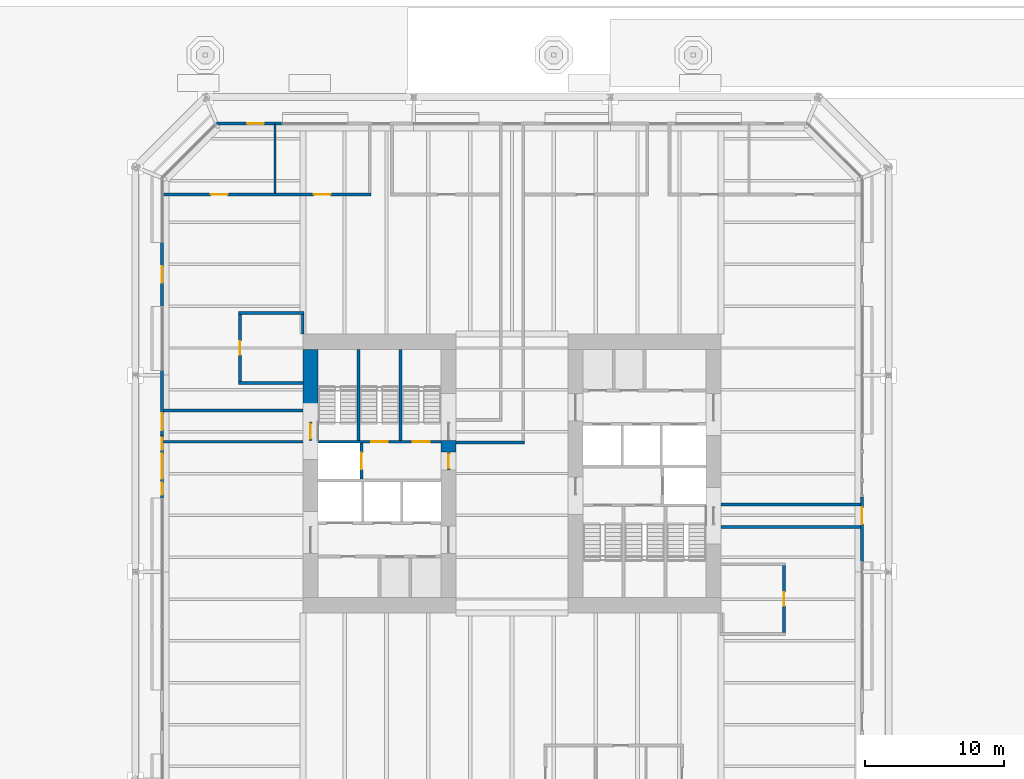
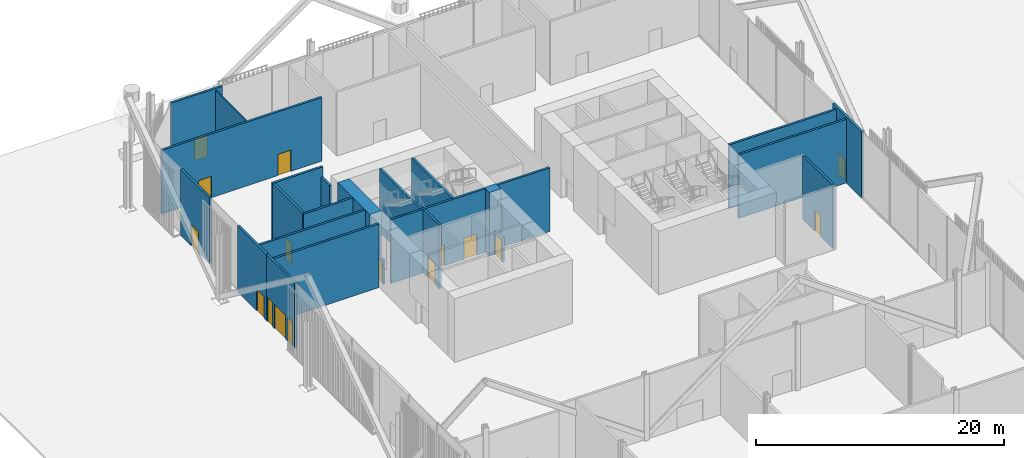
# One storey, part 16 of 28: 25 walls, 14 doors, 2 windows, 16 openings.
"""IFC4 building model written with IfcOpenShell, lengths in metres."""

import ifcopenshell
import ifcopenshell.guid

model = None  # the IFC model being written
_history = None  # IfcOwnerHistory: only IFC2X3 demands one
_inside = {}  # id of a spatial element -> (the spatial element, [elements in it])
_under = {}  # id of a project, library or spatial element -> (it, [spatial elements below it])
_declared = {}  # id of a project -> (the project, [libraries it declares])
_typed = {}  # id of a type object -> (the type object, [elements of that type])
_made_of = {}  # id of a material, layer set ... -> (it, [elements and type objects made of it])


def new_model(schema):
    """Start an empty IFC model of exactly this schema.

    Asked for "IFC4X3", IfcOpenShell would pick the latest addendum, in which some entities
    have other attributes; the version numbers below select the first issue.
    IFC2X3 requires an IfcOwnerHistory on every rooted entity: one is made here for all.
    """
    global model, _history
    if schema == "IFC4X3":
        model = ifcopenshell.file(schema_version=(4, 3, 0, 0))
    else:
        model = ifcopenshell.file(schema=schema)
    _inside.clear()
    _under.clear()
    _declared.clear()
    _typed.clear()
    _made_of.clear()
    _history = None
    if model.schema == "IFC2X3":
        org = make("IfcOrganization", Name="unknown")
        user = make(
            "IfcPersonAndOrganization",
            ThePerson=make("IfcPerson", FamilyName="unknown"),
            TheOrganization=org,
        )
        app = make(
            "IfcApplication",
            ApplicationDeveloper=org,
            Version="unknown",
            ApplicationFullName="unknown",
            ApplicationIdentifier="unknown",
        )
        _history = make(
            "IfcOwnerHistory",
            OwningUser=user,
            OwningApplication=app,
            ChangeAction="ADDED",
            CreationDate=0,
        )
    return model


def make(cls, **values):
    """One entity of the class cls with the attributes given. An attribute that is None is left unset."""
    return model.create_entity(
        cls, **{name: value for name, value in values.items() if value is not None}
    )


def rooted(cls, **values):
    """An entity with a GlobalId (a new one), such as an element, a storey or a relation."""
    return make(cls, GlobalId=ifcopenshell.guid.new(), OwnerHistory=_history, **values)


def si_unit(unit_type, name, prefix=None):
    """IfcSIUnit, for example si_unit("LENGTHUNIT", "METRE", prefix="MILLI")."""
    return make("IfcSIUnit", UnitType=unit_type, Prefix=prefix, Name=name)


def assignment(units):
    """IfcUnitAssignment: the units of a project."""
    return None if units is None else make("IfcUnitAssignment", Units=units)


def point(xyz):
    """IfcCartesianPoint."""
    return None if xyz is None else make("IfcCartesianPoint", Coordinates=xyz)


def direction(xyz):
    """IfcDirection."""
    return None if xyz is None else make("IfcDirection", DirectionRatios=xyz)


def frame(location, z_axis=None, x_axis=None):
    """IfcAxis2Placement3D, a coordinate frame: its origin and axes. An axis left out is left unset."""
    return make(
        "IfcAxis2Placement3D",
        Location=point(location),
        Axis=direction(z_axis),
        RefDirection=direction(x_axis),
    )


def frame_2d(location, x_axis=None):
    """IfcAxis2Placement2D, a coordinate frame in the plane: its origin and x axis."""
    return make(
        "IfcAxis2Placement2D", Location=point(location), RefDirection=direction(x_axis)
    )


def origin():
    """The frame at (0, 0, 0) with its axes left unset."""
    return frame((0.0, 0.0, 0.0))


def place(relative_to, where):
    """IfcLocalPlacement: puts the frame where relative to a parent placement (None: the world)."""
    return make(
        "IfcLocalPlacement", PlacementRelTo=relative_to, RelativePlacement=where
    )


def context(
    kind, dimensions, precision=None, world=None, true_north=None, identifier=None
):
    """IfcGeometricRepresentationContext, for example the 3D "Model" context."""
    return make(
        "IfcGeometricRepresentationContext",
        ContextIdentifier=identifier,
        ContextType=kind,
        CoordinateSpaceDimension=dimensions,
        Precision=precision,
        WorldCoordinateSystem=world,
        TrueNorth=true_north,
    )


def subcontext(parent, identifier, kind, view, scale=None):
    """IfcGeometricRepresentationSubContext, for example "Body" below "Model"."""
    return make(
        "IfcGeometricRepresentationSubContext",
        ContextIdentifier=identifier,
        ContextType=kind,
        ParentContext=parent,
        TargetScale=scale,
        TargetView=view,
    )


def project(units=None, contexts=None):
    """IfcProject with its units and contexts."""
    return rooted(
        "IfcProject",
        Name="project",
        RepresentationContexts=contexts,
        UnitsInContext=assignment(units),
    )


def spatial(cls, under=None, at=None, **own):
    """A site, building, storey or space (cls), placed at a placement, below another one or the project."""
    s = rooted(cls, ObjectPlacement=at, **own)
    if under is not None:
        _under.setdefault(under.id(), (under, []))[1].append(s)
    return s


def profile(cls, at=None, kind="AREA", **sizes):
    """A parametric profile (cls). Its sizes go by their IFC names, for example OverallWidth=200.0."""
    return make(cls, ProfileType=kind, Position=at, **sizes)


def rectangle(**sizes):
    """IfcRectangleProfileDef."""
    return profile("IfcRectangleProfileDef", **sizes)


def extrude(swept, where, along, depth):
    """IfcExtrudedAreaSolid: the profile swept, set in the frame where, extruded along a direction by depth."""
    return make(
        "IfcExtrudedAreaSolid",
        SweptArea=swept,
        Position=where,
        ExtrudedDirection=direction(along),
        Depth=depth,
    )


def shape(context_of_items, identifier, shape_type, items):
    """IfcShapeRepresentation: the items that make up one representation, for example the "Body"."""
    return make(
        "IfcShapeRepresentation",
        ContextOfItems=context_of_items,
        RepresentationIdentifier=identifier,
        RepresentationType=shape_type,
        Items=items,
    )


def material(Name=None, Category=None):
    """IfcMaterial."""
    return make("IfcMaterial", Name=Name, Category=Category)


def layer(
    of_material, thickness, ventilated=None, Name=None, Category=None, Priority=None
):
    """IfcMaterialLayer: one layer of a wall or slab, of a material (None: an air gap)."""
    return make(
        "IfcMaterialLayer",
        Material=of_material,
        LayerThickness=thickness,
        IsVentilated=ventilated,
        Name=Name,
        Category=Category,
        Priority=Priority,
    )


def layer_set(layers, Name=None):
    """IfcMaterialLayerSet."""
    return make("IfcMaterialLayerSet", MaterialLayers=layers, LayerSetName=Name)


def made_of(thing, what):
    """Note that an element or type object is made of a material, layer set ...; save() writes the relation."""
    if what is not None:
        _made_of.setdefault(what.id(), (what, []))[1].append(thing)
    return thing


def type_object(cls, material=None, **own):
    """A type object (cls), such as IfcWallType, which elements share."""
    return made_of(rooted(cls, **own), material)


def element(
    cls,
    number,
    at=None,
    inside=None,
    cuts=None,
    type_object=None,
    material=None,
    context=None,
    identifier="Body",
    shape_type=None,
    held_by="IfcProductDefinitionShape",
    body=None,
    shapes=None,
    **own,
):
    """One element of the class cls, such as IfcWall. Its Tag is "e" and its number.

    at: its placement. inside: the storey or other place that contains it. cuts: it is an
    opening in that element (IfcRelVoidsElement). A single representation is given by context,
    identifier, shape_type and body (its items); several are given by shapes. held_by: the class
    of the entity that holds the representations. save() writes the other relations.
    """
    e = rooted(cls, Tag="e%d" % number, ObjectPlacement=at, **own)
    if body is not None:
        shapes = [shape(context, identifier, shape_type, body)]
    if shapes is not None:
        e.Representation = make(held_by, Representations=shapes)
    if inside is not None:
        _inside.setdefault(inside.id(), (inside, []))[1].append(e)
    if cuts is not None:
        rooted(
            "IfcRelVoidsElement", RelatingBuildingElement=cuts, RelatedOpeningElement=e
        )
    if type_object is not None:
        _typed.setdefault(type_object.id(), (type_object, []))[1].append(e)
    return made_of(e, material)


def fill(opening, filler):
    """IfcRelFillsElement: the door or window that sits in an opening."""
    return rooted(
        "IfcRelFillsElement",
        RelatingOpeningElement=opening,
        RelatedBuildingElement=filler,
    )


def aggregate(whole, parts):
    """IfcRelAggregates: a whole, such as a stair, and the parts it consists of."""
    return rooted("IfcRelAggregates", RelatingObject=whole, RelatedObjects=parts)


def save(model, path):
    """Write the relations noted so far, then the file.

    IfcRelAggregates (storeys below a building ...), IfcRelContainedInSpatialStructure (elements
    in a storey), IfcRelDefinesByType, IfcRelAssociatesMaterial and IfcRelDeclares: one each for
    every whole, place, type object, material and project.
    """
    for whole, parts in _under.values():
        aggregate(whole, parts)
    for where, things in _inside.values():
        rooted(
            "IfcRelContainedInSpatialStructure",
            RelatedElements=things,
            RelatingStructure=where,
        )
    for kind, things in _typed.values():
        rooted("IfcRelDefinesByType", RelatedObjects=things, RelatingType=kind)
    for what, things in _made_of.values():
        rooted("IfcRelAssociatesMaterial", RelatedObjects=things, RelatingMaterial=what)
    for by, libraries in _declared.values():
        rooted("IfcRelDeclares", RelatingContext=by, RelatedDefinitions=libraries)
    model.write(path)


model = new_model("IFC4")

# Units and contexts
model_context = context("Model", 3, precision=1e-05, world=origin(), true_north=direction((0.0, 1.0)))
body_context = subcontext(model_context, "Body", "Model", "MODEL_VIEW")
ifc_project = project(units=[si_unit("LENGTHUNIT", "METRE"), si_unit("AREAUNIT", "SQUARE_METRE"), si_unit("VOLUMEUNIT", "CUBIC_METRE"), si_unit("PLANEANGLEUNIT", "RADIAN"), si_unit("MASSUNIT", "GRAM", prefix="KILO")], contexts=[model_context])

# Site, building, storey
site_placement = place(None, origin())
site = spatial("IfcSite", under=ifc_project, at=site_placement, CompositionType="ELEMENT")
building_placement = place(site_placement, origin())
building = spatial("IfcBuilding", under=site, at=building_placement, Name="Millrace Tower", CompositionType="ELEMENT")
storey_placement = place(building_placement, origin())
storey = spatial("IfcBuildingStorey", under=building, at=storey_placement, Name="L01", CompositionType="ELEMENT", Elevation=0.0)

# Walls
ifc_material_1 = material(Name="Concrete C80", Category="concrete")
ifc_layer_1 = layer(ifc_material_1, 1.10009765625)
ifc_layer_set_1 = layer_set([ifc_layer_1], Name="Concrete C80")
wall_type_1 = type_object("IfcWallType", Name="Core wall 1100 Concrete C80", PredefinedType="SHEAR", material=ifc_layer_set_1)
wall_1_placement = place(storey_placement, frame((-14.449951171875, 3.679931640625, 0.0), z_axis=(0.0, 0.0, 1.0), x_axis=(0.0, 1.0, 0.0)))
element("IfcWall", 1, at=wall_1_placement, inside=storey, type_object=wall_type_1, Name="Core wall W L01", PredefinedType="SHEAR", context=body_context, shape_type="SweptSolid", body=[
    extrude(rectangle(XDim=5.219970703125, YDim=1.10009765625, at=frame_2d((2.60986328125, 0.0))), origin(), (0.0, 0.0, 1.0), 6.27490234375),
])
wall_2_placement = place(storey_placement, frame((-4.550048828125, 1.550048828125, 0.0), z_axis=(0.0, 0.0, 1.0), x_axis=(0.0, 1.0, 0.0)))
element("IfcWall", 2, at=wall_2_placement, inside=storey, type_object=wall_type_1, Name="Core wall W L01", PredefinedType="SHEAR", context=body_context, shape_type="SweptSolid", body=[
    extrude(rectangle(XDim=0.829833984375, YDim=1.10009765625, at=frame_2d((0.4150390625, 0.0))), origin(), (0.0, 0.0, 1.0), 6.27490234375),
])
ifc_material_2 = material(Name="Masonry partition, fire-rated", Category="masonry")
ifc_layer_2 = layer(ifc_material_2, 0.199951171875)
ifc_layer_set_2 = layer_set([ifc_layer_2], Name="Masonry partition, fire-rated")
wall_type_2 = type_object("IfcWallType", Name="Corridor wall 200", PredefinedType="PARTITIONING", material=ifc_layer_set_2)
wall_3_placement = place(storey_placement, frame((-19.60009765625, 6.5, 0.0), z_axis=(0.0, 0.0, 1.0), x_axis=(1.0, 0.0, 0.0)))
element("IfcWall", 3, at=wall_3_placement, inside=storey, type_object=wall_type_2, Name="Corridor wall L01", PredefinedType="PARTITIONING", context=body_context, shape_type="SweptSolid", body=[
    extrude(rectangle(XDim=4.60009765625, YDim=0.199951171875, at=frame_2d((2.300048828125, 0.0))), origin(), (0.0, 0.0, 1.0), 6.27490234375),
])
wall_4_placement = place(storey_placement, frame((-19.60009765625, 11.5, 0.0), z_axis=(0.0, 0.0, 1.0), x_axis=(1.0, 0.0, 0.0)))
element("IfcWall", 4, at=wall_4_placement, inside=storey, type_object=wall_type_2, Name="Corridor wall L01", PredefinedType="PARTITIONING", context=body_context, shape_type="SweptSolid", body=[
    extrude(rectangle(XDim=4.7001953125, YDim=0.199951171875, at=frame_2d((2.35009765625, 0.0))), origin(), (0.0, 0.0, 1.0), 6.27490234375),
])

# Wall, openings, doors
wall_5_placement = place(storey_placement, frame((-25.030029296875, 20.0, 0.0), z_axis=(0.0, 0.0, 1.0), x_axis=(1.0, 0.0, 0.0)))
wall_5 = element("IfcWall", 5, at=wall_5_placement, inside=storey, type_object=wall_type_2, Name="Corridor wall L01", PredefinedType="PARTITIONING", context=body_context, shape_type="SweptSolid", body=[
    extrude(rectangle(XDim=14.929931640625, YDim=0.199951171875, at=frame_2d((7.46484375, 0.0))), origin(), (0.0, 0.0, 1.0), 6.27490234375),
])
opening_1_placement = place(wall_5_placement, frame((3.43994140625, 0.0, 0.0)))
opening_1 = element("IfcOpeningElement", 6, at=opening_1_placement, cuts=wall_5, Name="Opening 01-P003", PredefinedType="OPENING", context=body_context, shape_type="SweptSolid", body=[
    extrude(rectangle(XDim=1.199951171875, YDim=2.10009765625, at=frame_2d((0.60009765625, 1.050048828125))), frame((0.0, 0.10986328125, 0.0), z_axis=(0.0, -1.0, 0.0), x_axis=(1.0, 0.0, 0.0)), (0.0, 0.0, 1.0), 0.219970703125),
])
opening_2_placement = place(wall_5_placement, frame((10.830078125, 0.0, 0.0)))
opening_2 = element("IfcOpeningElement", 7, at=opening_2_placement, cuts=wall_5, Name="Opening 01-P004", PredefinedType="OPENING", context=body_context, shape_type="SweptSolid", body=[
    extrude(rectangle(XDim=1.199951171875, YDim=2.10009765625, at=frame_2d((0.60009765625, 1.050048828125))), frame((0.0, 0.10986328125, 0.0), z_axis=(0.0, -1.0, 0.0), x_axis=(1.0, 0.0, 0.0)), (0.0, 0.0, 1.0), 0.219970703125),
])
ifc_material_3 = material(Name="Steel door set, fire-rated", Category="steel")
door_type_1 = type_object("IfcDoorType", Name="Corridor door 1200 x 2100", OperationType="SINGLE_SWING_LEFT", PredefinedType="DOOR", material=ifc_material_3)
door_1_placement = place(opening_1_placement, origin())
door_1 = element("IfcDoor", 8, at=door_1_placement, inside=storey, type_object=door_type_1, Name="Door 01-P003", OperationType="SINGLE_SWING_LEFT", OverallHeight=2.10009765625, OverallWidth=1.199951171875, PredefinedType="DOOR", context=body_context, shape_type="SweptSolid", body=[
    extrude(rectangle(XDim=1.199951171875, YDim=2.10009765625, at=frame_2d((0.60009765625, 1.050048828125))), frame((0.0, 0.02490234375, 0.0), z_axis=(0.0, -1.0, 0.0), x_axis=(1.0, 0.0, 0.0)), (0.0, 0.0, 1.0), 0.050048828125),
])
fill(opening_1, door_1)
door_2_placement = place(opening_2_placement, origin())
door_2 = element("IfcDoor", 9, at=door_2_placement, inside=storey, type_object=door_type_1, Name="Door 01-P004", OperationType="SINGLE_SWING_RIGHT", OverallHeight=2.10009765625, OverallWidth=1.199951171875, PredefinedType="DOOR", context=body_context, shape_type="SweptSolid", body=[
    extrude(rectangle(XDim=1.199951171875, YDim=2.10009765625, at=frame_2d((0.60009765625, 1.050048828125))), frame((0.0, 0.02490234375, 0.0), z_axis=(0.0, -1.0, 0.0), x_axis=(1.0, 0.0, 0.0)), (0.0, 0.0, 1.0), 0.050048828125),
])
fill(opening_2, door_2)

# Wall, opening, door
wall_6_placement = place(storey_placement, frame((19.5, -11.39990234375, 0.0), z_axis=(0.0, 0.0, 1.0), x_axis=(0.0, 1.0, 0.0)))
wall_6 = element("IfcWall", 10, at=wall_6_placement, inside=storey, type_object=wall_type_2, Name="Corridor wall L01", PredefinedType="PARTITIONING", context=body_context, shape_type="SweptSolid", body=[
    extrude(rectangle(XDim=4.7998046875, YDim=0.199951171875, at=frame_2d((2.39990234375, 0.0))), origin(), (0.0, 0.0, 1.0), 6.27490234375),
])
opening_3_placement = place(wall_6_placement, frame((1.89990234375, 0.0, 0.0)))
opening_3 = element("IfcOpeningElement", 11, at=opening_3_placement, cuts=wall_6, Name="Opening 01-P002", PredefinedType="OPENING", context=body_context, shape_type="SweptSolid", body=[
    extrude(rectangle(XDim=1.0, YDim=2.10009765625, at=frame_2d((0.5, 1.050048828125))), frame((0.0, 0.10986328125, 0.0), z_axis=(0.0, -1.0, 0.0), x_axis=(1.0, 0.0, 0.0)), (0.0, 0.0, 1.0), 0.219970703125),
])
ifc_material_4 = material(Name="Steel door set, fire-rated", Category="steel")
door_type_2 = type_object("IfcDoorType", Name="Corridor door 1000 x 2100", OperationType="SINGLE_SWING_LEFT", PredefinedType="DOOR", material=ifc_material_4)
door_3_placement = place(opening_3_placement, origin())
door_3 = element("IfcDoor", 12, at=door_3_placement, inside=storey, type_object=door_type_2, Name="Door 01-P002", OperationType="SINGLE_SWING_RIGHT", OverallHeight=2.10009765625, OverallWidth=1.0, PredefinedType="DOOR", context=body_context, shape_type="SweptSolid", body=[
    extrude(rectangle(XDim=1.0, YDim=2.10009765625, at=frame_2d((0.5, 1.050048828125))), frame((0.0, 0.02490234375, 0.0), z_axis=(0.0, -1.0, 0.0), x_axis=(1.0, 0.0, 0.0)), (0.0, 0.0, 1.0), 0.050048828125),
])
fill(opening_3, door_3)

# Wall
wall_7_placement = place(storey_placement, frame((-15.0, 10.0, 0.0), z_axis=(0.0, 0.0, 1.0), x_axis=(0.0, 1.0, 0.0)))
element("IfcWall", 13, at=wall_7_placement, inside=storey, type_object=wall_type_2, Name="Corridor wall L01", PredefinedType="PARTITIONING", context=body_context, shape_type="SweptSolid", body=[
    extrude(rectangle(XDim=1.39990234375, YDim=0.199951171875, at=frame_2d((0.699951171875, 0.0))), origin(), (0.0, 0.0, 1.0), 5.32763671875),
])

# Wall, opening, door
wall_8_placement = place(storey_placement, frame((-19.5, 6.60009765625, 0.0), z_axis=(0.0, 0.0, 1.0), x_axis=(0.0, 1.0, 0.0)))
wall_8 = element("IfcWall", 14, at=wall_8_placement, inside=storey, type_object=wall_type_2, Name="Corridor wall L01", PredefinedType="PARTITIONING", context=body_context, shape_type="SweptSolid", body=[
    extrude(rectangle(XDim=4.7998046875, YDim=0.199951171875, at=frame_2d((2.39990234375, 0.0))), origin(), (0.0, 0.0, 1.0), 6.27490234375),
])
opening_4_placement = place(wall_8_placement, frame((1.89990234375, 0.0, 0.0)))
opening_4 = element("IfcOpeningElement", 15, at=opening_4_placement, cuts=wall_8, Name="Opening 01-P001", PredefinedType="OPENING", context=body_context, shape_type="SweptSolid", body=[
    extrude(rectangle(XDim=1.0, YDim=2.10009765625, at=frame_2d((0.5, 1.050048828125))), frame((0.0, 0.10986328125, 0.0), z_axis=(0.0, -1.0, 0.0), x_axis=(1.0, 0.0, 0.0)), (0.0, 0.0, 1.0), 0.219970703125),
])
door_4_placement = place(opening_4_placement, frame((1.0, 0.0, 0.0), z_axis=(0.0, 0.0, 1.0), x_axis=(-1.0, 0.0, 0.0)))
door_4 = element("IfcDoor", 16, at=door_4_placement, inside=storey, type_object=door_type_2, Name="Door 01-P001", OperationType="SINGLE_SWING_LEFT", OverallHeight=2.10009765625, OverallWidth=1.0, PredefinedType="DOOR", context=body_context, shape_type="SweptSolid", body=[
    extrude(rectangle(XDim=1.0, YDim=2.10009765625, at=frame_2d((0.5, 1.050048828125))), frame((0.0, 0.02490234375, 0.0), z_axis=(0.0, -1.0, 0.0), x_axis=(1.0, 0.0, 0.0)), (0.0, 0.0, 1.0), 0.050048828125),
])
fill(opening_4, door_4)

ifc_material_5 = material(Name="Aluminium framed glazing", Category="aluminium")
ifc_layer_3 = layer(ifc_material_5, 0.199951171875)
ifc_layer_set_3 = layer_set([ifc_layer_3], Name="Aluminium framed glazing")
wall_type_3 = type_object("IfcWallType", Name="Entrance infill wall 200 thick", PredefinedType="STANDARD", material=ifc_layer_set_3)
wall_9_placement = place(storey_placement, frame((25.10009765625, -6.35009765625, 0.0), z_axis=(0.0, 0.0, 1.0), x_axis=(0.0, 1.0, 0.0)))
wall_9 = element("IfcWall", 17, at=wall_9_placement, inside=storey, type_object=wall_type_3, Name="Entrance infill wall AW1-F02 10", PredefinedType="STANDARD", context=body_context, shape_type="SweptSolid", body=[
    extrude(rectangle(XDim=4.658447265625, YDim=0.199951171875, at=frame_2d((2.3291015625, 0.0))), origin(), (0.0, 0.0, 1.0), 6.5),
])
opening_5_placement = place(wall_9_placement, frame((2.7216796875, 0.0, 0.0)))
opening_5 = element("IfcOpeningElement", 18, at=opening_5_placement, cuts=wall_9, Name="Opening 01-X005", PredefinedType="OPENING", context=body_context, shape_type="SweptSolid", body=[
    extrude(rectangle(XDim=1.199951171875, YDim=2.10009765625, at=frame_2d((0.60009765625, 1.050048828125))), frame((0.0, 0.10986328125, 0.0), z_axis=(0.0, -1.0, 0.0), x_axis=(1.0, 0.0, 0.0)), (0.0, 0.0, 1.0), 0.219970703125),
])
ifc_material_6 = material(Name="Steel", Category="steel")
door_type_3 = type_object("IfcDoorType", Name="Exit door to the plaza", OperationType="SINGLE_SWING_RIGHT", PredefinedType="DOOR", material=ifc_material_6)
door_5_placement = place(opening_5_placement, frame((1.199951171875, 0.0, 0.0), z_axis=(0.0, 0.0, 1.0), x_axis=(-1.0, 0.0, 0.0)))
door_5 = element("IfcDoor", 19, at=door_5_placement, inside=storey, type_object=door_type_3, Name="01-X005", OperationType="SINGLE_SWING_RIGHT", OverallHeight=2.10009765625, OverallWidth=1.199951171875, PredefinedType="DOOR", context=body_context, shape_type="SweptSolid", body=[
    extrude(rectangle(XDim=1.199951171875, YDim=2.10009765625, at=frame_2d((0.60009765625, 1.050048828125))), frame((0.0, 0.02490234375, 0.0), z_axis=(0.0, -1.0, 0.0), x_axis=(1.0, 0.0, 0.0)), (0.0, 0.0, 1.0), 0.050048828125),
])
fill(opening_5, door_5)

wall_10_placement = place(storey_placement, frame((-16.449951171875, 25.10009765625, 0.0), z_axis=(0.0, 0.0, 1.0), x_axis=(-1.0, 0.0, 0.0)))
wall_10 = element("IfcWall", 20, at=wall_10_placement, inside=storey, type_object=wall_type_3, Name="Entrance infill wall AW1-F04 9", PredefinedType="STANDARD", context=body_context, shape_type="SweptSolid", body=[
    extrude(rectangle(XDim=4.741455078125, YDim=0.199951171875, at=frame_2d((2.37060546875, 0.0))), origin(), (0.0, 0.0, 1.0), 6.5),
])
opening_6_placement = place(wall_10_placement, frame((1.35009765625, 0.0, 0.0)))
opening_6 = element("IfcOpeningElement", 21, at=opening_6_placement, cuts=wall_10, Name="Opening 01-X012", PredefinedType="OPENING", context=body_context, shape_type="SweptSolid", body=[
    extrude(rectangle(XDim=1.199951171875, YDim=2.10009765625, at=frame_2d((0.60009765625, 1.050048828125))), frame((0.0, 0.10986328125, 0.0), z_axis=(0.0, -1.0, 0.0), x_axis=(1.0, 0.0, 0.0)), (0.0, 0.0, 1.0), 0.219970703125),
])
ifc_material_7 = material(Name="Steel", Category="steel")
door_type_4 = type_object("IfcDoorType", Name="Service exit door", OperationType="SINGLE_SWING_RIGHT", PredefinedType="DOOR", material=ifc_material_7)
door_6_placement = place(opening_6_placement, frame((1.199951171875, 0.0, 0.0), z_axis=(0.0, 0.0, 1.0), x_axis=(-1.0, 0.0, 0.0)))
door_6 = element("IfcDoor", 22, at=door_6_placement, inside=storey, type_object=door_type_4, Name="01-X012", OperationType="SINGLE_SWING_RIGHT", OverallHeight=2.10009765625, OverallWidth=1.199951171875, PredefinedType="DOOR", context=body_context, shape_type="SweptSolid", body=[
    extrude(rectangle(XDim=1.199951171875, YDim=2.10009765625, at=frame_2d((0.60009765625, 1.050048828125))), frame((0.0, 0.02490234375, 0.0), z_axis=(0.0, -1.0, 0.0), x_axis=(1.0, 0.0, 0.0)), (0.0, 0.0, 1.0), 0.050048828125),
])
fill(opening_6, door_6)

wall_11_placement = place(storey_placement, frame((-25.10009765625, 16.566650390625, 0.0), z_axis=(0.0, 0.0, 1.0), x_axis=(0.0, -1.0, 0.0)))
wall_11 = element("IfcWall", 23, at=wall_11_placement, inside=storey, type_object=wall_type_3, Name="Entrance infill wall AW1-F06 2", PredefinedType="STANDARD", context=body_context, shape_type="SweptSolid", body=[
    extrude(rectangle(XDim=4.658203125, YDim=0.199951171875, at=frame_2d((2.3291015625, 0.0))), origin(), (0.0, 0.0, 1.0), 6.5),
])
opening_7_placement = place(wall_11_placement, frame((1.691650390625, 0.0, 0.0)))
opening_7 = element("IfcOpeningElement", 24, at=opening_7_placement, cuts=wall_11, Name="Opening 01-X013", PredefinedType="OPENING", context=body_context, shape_type="SweptSolid", body=[
    extrude(rectangle(XDim=1.199951171875, YDim=2.10009765625, at=frame_2d((0.60009765625, 1.050048828125))), frame((0.0, 0.10986328125, 0.0), z_axis=(0.0, -1.0, 0.0), x_axis=(1.0, 0.0, 0.0)), (0.0, 0.0, 1.0), 0.219970703125),
])
door_7_placement = place(opening_7_placement, frame((1.199951171875, 0.0, 0.0), z_axis=(0.0, 0.0, 1.0), x_axis=(-1.0, 0.0, 0.0)))
door_7 = element("IfcDoor", 25, at=door_7_placement, inside=storey, type_object=door_type_3, Name="01-X013", OperationType="SINGLE_SWING_RIGHT", OverallHeight=2.10009765625, OverallWidth=1.199951171875, PredefinedType="DOOR", context=body_context, shape_type="SweptSolid", body=[
    extrude(rectangle(XDim=1.199951171875, YDim=2.10009765625, at=frame_2d((0.60009765625, 1.050048828125))), frame((0.0, 0.02490234375, 0.0), z_axis=(0.0, -1.0, 0.0), x_axis=(1.0, 0.0, 0.0)), (0.0, 0.0, 1.0), 0.050048828125),
])
fill(opening_7, door_7)

wall_12_placement = place(storey_placement, frame((-25.10009765625, 7.39990234375, 0.0), z_axis=(0.0, 0.0, 1.0), x_axis=(0.0, -1.0, 0.0)))
wall_12 = element("IfcWall", 26, at=wall_12_placement, inside=storey, type_object=wall_type_3, Name="Entrance infill wall AW1-F06 4", PredefinedType="STANDARD", context=body_context, shape_type="SweptSolid", body=[
    extrude(rectangle(XDim=4.658203125, YDim=0.199951171875, at=frame_2d((2.3291015625, 0.0))), origin(), (0.0, 0.0, 1.0), 6.5),
])
opening_8_placement = place(wall_12_placement, frame((3.081787109375, 0.0, 0.0)))
opening_8 = element("IfcOpeningElement", 27, at=opening_8_placement, cuts=wall_12, Name="Opening 01-X014", PredefinedType="OPENING", context=body_context, shape_type="SweptSolid", body=[
    extrude(rectangle(XDim=1.199951171875, YDim=2.10009765625, at=frame_2d((0.60009765625, 1.050048828125))), frame((0.0, 0.10986328125, 0.0), z_axis=(0.0, -1.0, 0.0), x_axis=(1.0, 0.0, 0.0)), (0.0, 0.0, 1.0), 0.219970703125),
])
door_8_placement = place(opening_8_placement, frame((1.199951171875, 0.0, 0.0), z_axis=(0.0, 0.0, 1.0), x_axis=(-1.0, 0.0, 0.0)))
door_8 = element("IfcDoor", 28, at=door_8_placement, inside=storey, type_object=door_type_3, Name="01-X014", OperationType="SINGLE_SWING_RIGHT", OverallHeight=2.10009765625, OverallWidth=1.199951171875, PredefinedType="DOOR", context=body_context, shape_type="SweptSolid", body=[
    extrude(rectangle(XDim=1.199951171875, YDim=2.10009765625, at=frame_2d((0.60009765625, 1.050048828125))), frame((0.0, 0.02490234375, 0.0), z_axis=(0.0, -1.0, 0.0), x_axis=(1.0, 0.0, 0.0)), (0.0, 0.0, 1.0), 0.050048828125),
])
fill(opening_8, door_8)

# Wall, openings, windows, door
wall_13_placement = place(storey_placement, frame((-25.10009765625, 2.816650390625, 0.0), z_axis=(0.0, 0.0, 1.0), x_axis=(0.0, -1.0, 0.0)))
wall_13 = element("IfcWall", 29, at=wall_13_placement, inside=storey, type_object=wall_type_3, Name="Entrance infill wall AW1-F06 5", PredefinedType="STANDARD", context=body_context, shape_type="SweptSolid", body=[
    extrude(rectangle(XDim=4.658203125, YDim=0.199951171875, at=frame_2d((2.3291015625, 0.0))), origin(), (0.0, 0.0, 1.0), 6.5),
])
opening_9_placement = place(wall_13_placement, frame((1.3916015625, 0.0, 0.0)))
opening_9 = element("IfcOpeningElement", 30, at=opening_9_placement, cuts=wall_13, Name="Opening 01-X015", PredefinedType="OPENING", context=body_context, shape_type="SweptSolid", body=[
    extrude(rectangle(XDim=1.800048828125, YDim=2.39990234375, at=frame_2d((0.89990234375, 1.199951171875))), frame((0.0, 0.10986328125, 0.0), z_axis=(0.0, -1.0, 0.0), x_axis=(1.0, 0.0, 0.0)), (0.0, 0.0, 1.0), 0.219970703125),
])
opening_10_placement = place(wall_13_placement, frame((0.25, 0.0, 0.0)))
opening_10 = element("IfcOpeningElement", 31, at=opening_10_placement, cuts=wall_13, Name="Opening WN1", PredefinedType="OPENING", context=body_context, shape_type="SweptSolid", body=[
    extrude(rectangle(XDim=0.85009765625, YDim=2.39990234375, at=frame_2d((0.425048828125, 1.199951171875))), frame((0.0, 0.10986328125, 0.0), z_axis=(0.0, -1.0, 0.0), x_axis=(1.0, 0.0, 0.0)), (0.0, 0.0, 1.0), 0.219970703125),
])
opening_11_placement = place(wall_13_placement, frame((3.4833984375, 0.0, 0.0)))
opening_11 = element("IfcOpeningElement", 32, at=opening_11_placement, cuts=wall_13, Name="Opening WN1", PredefinedType="OPENING", context=body_context, shape_type="SweptSolid", body=[
    extrude(rectangle(XDim=0.85009765625, YDim=2.39990234375, at=frame_2d((0.425048828125, 1.199951171875))), frame((0.0, 0.10986328125, 0.0), z_axis=(0.0, -1.0, 0.0), x_axis=(1.0, 0.0, 0.0)), (0.0, 0.0, 1.0), 0.219970703125),
])
ifc_material_8 = material(Name="Aluminium and laminated glass", Category="aluminium")
window_type = type_object("IfcWindowType", Name="Entrance sidelight window 850 x 2400", PartitioningType="SINGLE_PANEL", PredefinedType="WINDOW", material=ifc_material_8)
window_1_placement = place(opening_10_placement, origin())
window_1 = element("IfcWindow", 33, at=window_1_placement, inside=storey, type_object=window_type, Name="Entrance sidelight window AW1-F06.5 W", OverallHeight=2.39990234375, OverallWidth=0.85009765625, PartitioningType="SINGLE_PANEL", PredefinedType="WINDOW", context=body_context, shape_type="SweptSolid", body=[
    extrude(rectangle(XDim=0.85009765625, YDim=2.39990234375, at=frame_2d((0.425048828125, 1.199951171875))), frame((0.0, 0.030029296875, 0.0), z_axis=(0.0, -1.0, 0.0), x_axis=(1.0, 0.0, 0.0)), (0.0, 0.0, 1.0), 0.06005859375),
])
fill(opening_10, window_1)
window_2_placement = place(opening_11_placement, origin())
window_2 = element("IfcWindow", 34, at=window_2_placement, inside=storey, type_object=window_type, Name="Entrance sidelight window AW1-F06.5 E", OverallHeight=2.39990234375, OverallWidth=0.85009765625, PartitioningType="SINGLE_PANEL", PredefinedType="WINDOW", context=body_context, shape_type="SweptSolid", body=[
    extrude(rectangle(XDim=0.85009765625, YDim=2.39990234375, at=frame_2d((0.425048828125, 1.199951171875))), frame((0.0, 0.030029296875, 0.0), z_axis=(0.0, -1.0, 0.0), x_axis=(1.0, 0.0, 0.0)), (0.0, 0.0, 1.0), 0.06005859375),
])
fill(opening_11, window_2)
ifc_material_9 = material(Name="Aluminium and glass", Category="aluminium")
door_type_5 = type_object("IfcDoorType", Name="Main entrance double door", OperationType="DOUBLE_DOOR_DOUBLE_SWING", PredefinedType="DOOR", material=ifc_material_9)
door_9_placement = place(opening_9_placement, frame((1.800048828125, 0.0, 0.0), z_axis=(0.0, 0.0, 1.0), x_axis=(-1.0, 0.0, 0.0)))
door_9 = element("IfcDoor", 35, at=door_9_placement, inside=storey, type_object=door_type_5, Name="01-X015", OperationType="DOUBLE_DOOR_DOUBLE_SWING", OverallHeight=2.39990234375, OverallWidth=1.800048828125, PredefinedType="DOOR", context=body_context, shape_type="SweptSolid", body=[
    extrude(rectangle(XDim=1.800048828125, YDim=2.39990234375, at=frame_2d((0.89990234375, 1.199951171875))), frame((0.0, 0.02490234375, 0.0), z_axis=(0.0, -1.0, 0.0), x_axis=(1.0, 0.0, 0.0)), (0.0, 0.0, 1.0), 0.050048828125),
])
fill(opening_9, door_9)

# Walls
ifc_material_10 = material(Name="Masonry partition, fire-rated", Category="masonry")
ifc_layer_4 = layer(ifc_material_10, 0.199951171875)
ifc_layer_set_4 = layer_set([ifc_layer_4], Name="Masonry partition, fire-rated")
wall_type_4 = type_object("IfcWallType", Name="Exit passage wall 200", PredefinedType="PARTITIONING", material=ifc_layer_set_4)
for number, where, z_axis, x_axis, name in (
    (36, (15.0, -3.830078125, 0.0), (0.0, 0.0, 1.0), (1.0, 0.0, 0.0), "Exit passage wall L01"),
    (37, (15.0, -2.22998046875, 0.0), (0.0, 0.0, 1.0), (1.0, 0.0, 0.0), "Exit passage wall L01"),
):
    element("IfcWall", number, at=place(storey_placement, frame(where, z_axis=z_axis, x_axis=x_axis)), inside=storey, type_object=wall_type_4, Name=name, PredefinedType="PARTITIONING", context=body_context, shape_type="SweptSolid", body=[
        extrude(rectangle(XDim=10.030029296875, YDim=0.199951171875, at=frame_2d((5.01513671875, 0.0))), origin(), (0.0, 0.0, 1.0), 6.27490234375),
    ])
wall_14_placement = place(storey_placement, frame((-4.0, 2.22998046875, 0.0), z_axis=(0.0, 0.0, 1.0), x_axis=(1.0, 0.0, 0.0)))
element("IfcWall", 38, at=wall_14_placement, inside=storey, type_object=wall_type_4, Name="Exit passage wall L01", PredefinedType="PARTITIONING", context=body_context, shape_type="SweptSolid", body=[
    extrude(rectangle(XDim=4.89990234375, YDim=0.199951171875, at=frame_2d((2.449951171875, 0.0))), origin(), (0.0, 0.0, 1.0), 6.27490234375),
])
for number, where, z_axis, x_axis, name in (
    (39, (-25.030029296875, 2.280029296875, 0.0), (0.0, 0.0, 1.0), (1.0, 0.0, 0.0), "Exit passage wall L01"),
    (40, (-25.030029296875, 4.52001953125, 0.0), (0.0, 0.0, 1.0), (1.0, 0.0, 0.0), "Exit passage wall L01"),
):
    element("IfcWall", number, at=place(storey_placement, frame(where, z_axis=z_axis, x_axis=x_axis)), inside=storey, type_object=wall_type_4, Name=name, PredefinedType="PARTITIONING", context=body_context, shape_type="SweptSolid", body=[
        extrude(rectangle(XDim=10.030029296875, YDim=0.199951171875, at=frame_2d((5.01513671875, 0.0))), origin(), (0.0, 0.0, 1.0), 6.27490234375),
    ])

# Wall, opening, door
ifc_material_11 = material(Name="Masonry partition, fire-rated", Category="masonry")
ifc_layer_5 = layer(ifc_material_11, 0.199951171875)
ifc_layer_set_5 = layer_set([ifc_layer_5], Name="Masonry partition, fire-rated")
wall_type_5 = type_object("IfcWallType", Name="Lift shaft wall 200", PredefinedType="PARTITIONING", material=ifc_layer_set_5)
wall_15_placement = place(storey_placement, frame((-10.800048828125, -0.39990234375, 0.0), z_axis=(0.0, 0.0, 1.0), x_axis=(0.0, 1.0, 0.0)))
wall_15 = element("IfcWall", 41, at=wall_15_placement, inside=storey, type_object=wall_type_5, Name="Lift shaft wall W L01", PredefinedType="PARTITIONING", context=body_context, shape_type="SweptSolid", body=[
    extrude(rectangle(XDim=2.579833984375, YDim=0.199951171875, at=frame_2d((1.2900390625, 0.0))), origin(), (0.0, 0.0, 1.0), 6.27490234375),
])
opening_12_placement = place(wall_15_placement, frame((0.68994140625, 0.0, 0.0)))
opening_12 = element("IfcOpeningElement", 42, at=opening_12_placement, cuts=wall_15, Name="Opening 01-LD08", PredefinedType="OPENING", context=body_context, shape_type="SweptSolid", body=[
    extrude(rectangle(XDim=1.199951171875, YDim=2.10009765625, at=frame_2d((0.60009765625, 1.050048828125))), frame((0.0, 0.10986328125, 0.0), z_axis=(0.0, -1.0, 0.0), x_axis=(1.0, 0.0, 0.0)), (0.0, 0.0, 1.0), 0.219970703125),
])
ifc_material_12 = material(Name="Stainless steel, fire-rated", Category="steel")
door_type_6 = type_object("IfcDoorType", Name="Lift landing door 1200 x 2100", OperationType="DOUBLE_DOOR_SLIDING", PredefinedType="DOOR", material=ifc_material_12)
door_10_placement = place(opening_12_placement, origin())
door_10 = element("IfcDoor", 43, at=door_10_placement, inside=storey, type_object=door_type_6, Name="Lift landing door LF8 L01", OperationType="DOUBLE_DOOR_SLIDING", OverallHeight=2.10009765625, OverallWidth=1.199951171875, PredefinedType="DOOR", context=body_context, shape_type="SweptSolid", body=[
    extrude(rectangle(XDim=1.199951171875, YDim=2.10009765625, at=frame_2d((0.60009765625, 1.050048828125))), frame((0.0, 0.02490234375, 0.0), z_axis=(0.0, -1.0, 0.0), x_axis=(1.0, 0.0, 0.0)), (0.0, 0.0, 1.0), 0.050048828125),
])
fill(opening_12, door_10)

ifc_material_13 = material(Name="Masonry partition, fire-rated", Category="masonry")
ifc_layer_6 = layer(ifc_material_13, 0.199951171875)
ifc_layer_set_6 = layer_set([ifc_layer_6], Name="Masonry partition, fire-rated")
wall_type_6 = type_object("IfcWallType", Name="Lobby wall 200", PredefinedType="PARTITIONING", material=ifc_layer_set_6)
wall_16_placement = place(storey_placement, frame((-4.550048828125, 0.25, 0.0), z_axis=(0.0, 0.0, 1.0), x_axis=(0.0, 1.0, 0.0)))
wall_16 = element("IfcWall", 44, at=wall_16_placement, inside=storey, type_object=wall_type_6, Name="Lobby wall W L01", PredefinedType="PARTITIONING", context=body_context, shape_type="SweptSolid", body=[
    extrude(rectangle(XDim=1.300048828125, YDim=0.199951171875, at=frame_2d((0.64990234375, 0.0))), origin(), (0.0, 0.0, 1.0), 2.39990234375),
])
opening_13_placement = place(wall_16_placement, frame((0.10009765625, 0.0, 0.0)))
opening_13 = element("IfcOpeningElement", 45, at=opening_13_placement, cuts=wall_16, Name="Opening 01-C004", PredefinedType="OPENING", context=body_context, shape_type="SweptSolid", body=[
    extrude(rectangle(XDim=1.10009765625, YDim=2.10009765625, at=frame_2d((0.550048828125, 1.050048828125))), frame((0.0, 0.10986328125, 0.0), z_axis=(0.0, -1.0, 0.0), x_axis=(1.0, 0.0, 0.0)), (0.0, 0.0, 1.0), 0.219970703125),
])
ifc_material_14 = material(Name="Steel door, fire-rated", Category="steel")
door_type_7 = type_object("IfcDoorType", Name="Lobby door 1100 x 2100", OperationType="SINGLE_SWING_LEFT", PredefinedType="DOOR", material=ifc_material_14)
door_11_placement = place(opening_13_placement, origin())
door_11 = element("IfcDoor", 46, at=door_11_placement, inside=storey, type_object=door_type_7, Name="Lobby door 01-C004", OperationType="SINGLE_SWING_LEFT", OverallHeight=2.10009765625, OverallWidth=1.10009765625, PredefinedType="DOOR", context=body_context, shape_type="SweptSolid", body=[
    extrude(rectangle(XDim=1.10009765625, YDim=2.10009765625, at=frame_2d((0.550048828125, 1.050048828125))), frame((0.0, 0.02490234375, 0.0), z_axis=(0.0, -1.0, 0.0), x_axis=(1.0, 0.0, 0.0)), (0.0, 0.0, 1.0), 0.050048828125),
])
fill(opening_13, door_11)

# Wall
ifc_material_15 = material(Name="Gypsum board partition")
ifc_layer_7 = layer(ifc_material_15, 0.1201171875)
ifc_layer_set_7 = layer_set([ifc_layer_7], Name="Gypsum board partition")
wall_type_7 = type_object("IfcWallType", Name="Partition wall 120", PredefinedType="PARTITIONING", material=ifc_layer_set_7)
wall_17_placement = place(storey_placement, frame((-17.0, 20.10009765625, 0.0), z_axis=(0.0, 0.0, 1.0), x_axis=(0.0, 1.0, 0.0)))
element("IfcWall", 47, at=wall_17_placement, inside=storey, type_object=wall_type_7, Name="Partition wall L01", PredefinedType="PARTITIONING", context=body_context, shape_type="SweptSolid", body=[
    extrude(rectangle(XDim=4.929931640625, YDim=0.1201171875, at=frame_2d((2.46484375, 0.0))), origin(), (0.0, 0.0, 1.0), 6.27490234375),
])

# Wall, opening, door
ifc_material_16 = material(Name="Concrete C40", Category="concrete")
ifc_layer_8 = layer(ifc_material_16, 0.199951171875)
ifc_layer_set_8 = layer_set([ifc_layer_8], Name="Concrete C40")
wall_type_8 = type_object("IfcWallType", Name="Stair enclosure wall 200 Concrete C40", PredefinedType="SHEAR", material=ifc_layer_set_8)
wall_18_placement = place(storey_placement, frame((-14.449951171875, 2.3798828125, 0.0), z_axis=(0.0, 0.0, 1.0), x_axis=(0.0, 1.0, 0.0)))
wall_18 = element("IfcWall", 48, at=wall_18_placement, inside=storey, type_object=wall_type_8, Name="Stair enclosure wall W L01", PredefinedType="SHEAR", context=body_context, shape_type="SweptSolid", body=[
    extrude(rectangle(XDim=1.300048828125, YDim=0.199951171875, at=frame_2d((0.64990234375, 0.0))), origin(), (0.0, 0.0, 1.0), 2.39990234375),
])
opening_14_placement = place(wall_18_placement, frame((0.10009765625, 0.0, 0.0)))
opening_14 = element("IfcOpeningElement", 49, at=opening_14_placement, cuts=wall_18, Name="Opening 01-C002", PredefinedType="OPENING", context=body_context, shape_type="SweptSolid", body=[
    extrude(rectangle(XDim=1.10009765625, YDim=2.10009765625, at=frame_2d((0.550048828125, 1.050048828125))), frame((0.0, 0.10986328125, 0.0), z_axis=(0.0, -1.0, 0.0), x_axis=(1.0, 0.0, 0.0)), (0.0, 0.0, 1.0), 0.219970703125),
])
ifc_material_17 = material(Name="Steel door, fire-rated", Category="steel")
door_type_8 = type_object("IfcDoorType", Name="Stair door 1100 x 2100", OperationType="SINGLE_SWING_LEFT", PredefinedType="DOOR", material=ifc_material_17)
door_12_placement = place(opening_14_placement, origin())
door_12 = element("IfcDoor", 50, at=door_12_placement, inside=storey, type_object=door_type_8, Name="Stair door 01-C002", OperationType="SINGLE_SWING_LEFT", OverallHeight=2.10009765625, OverallWidth=1.10009765625, PredefinedType="DOOR", context=body_context, shape_type="SweptSolid", body=[
    extrude(rectangle(XDim=1.10009765625, YDim=2.10009765625, at=frame_2d((0.550048828125, 1.050048828125))), frame((0.0, 0.02490234375, 0.0), z_axis=(0.0, -1.0, 0.0), x_axis=(1.0, 0.0, 0.0)), (0.0, 0.0, 1.0), 0.050048828125),
])
fill(opening_14, door_12)

# Wall, openings, doors
wall_19_placement = place(storey_placement, frame((-13.89990234375, 2.280029296875, 0.0), z_axis=(0.0, 0.0, 1.0), x_axis=(1.0, 0.0, 0.0)))
wall_19 = element("IfcWall", 51, at=wall_19_placement, inside=storey, type_object=wall_type_8, Name="Stair enclosure wall W L01", PredefinedType="SHEAR", context=body_context, shape_type="SweptSolid", body=[
    extrude(rectangle(XDim=8.7998046875, YDim=0.199951171875, at=frame_2d((4.39990234375, 0.0))), origin(), (0.0, 0.0, 1.0), 6.27490234375),
])
opening_15_placement = place(wall_19_placement, frame((3.800048828125, 0.0, 0.0)))
opening_15 = element("IfcOpeningElement", 52, at=opening_15_placement, cuts=wall_19, Name="Opening 01-C007", PredefinedType="OPENING", context=body_context, shape_type="SweptSolid", body=[
    extrude(rectangle(XDim=1.199951171875, YDim=2.10009765625, at=frame_2d((0.60009765625, 1.050048828125))), frame((0.0, 0.10986328125, 0.0), z_axis=(0.0, -1.0, 0.0), x_axis=(1.0, 0.0, 0.0)), (0.0, 0.0, 1.0), 0.219970703125),
])
opening_16_placement = place(wall_19_placement, frame((6.800048828125, 0.0, 0.0)))
opening_16 = element("IfcOpeningElement", 53, at=opening_16_placement, cuts=wall_19, Name="Opening 01-C008", PredefinedType="OPENING", context=body_context, shape_type="SweptSolid", body=[
    extrude(rectangle(XDim=1.199951171875, YDim=2.10009765625, at=frame_2d((0.60009765625, 1.050048828125))), frame((0.0, 0.10986328125, 0.0), z_axis=(0.0, -1.0, 0.0), x_axis=(1.0, 0.0, 0.0)), (0.0, 0.0, 1.0), 0.219970703125),
])
ifc_material_18 = material(Name="Steel door, fire-rated", Category="steel")
door_type_9 = type_object("IfcDoorType", Name="Stair door 1200 x 2100", OperationType="SINGLE_SWING_LEFT", PredefinedType="DOOR", material=ifc_material_18)
door_13_placement = place(opening_15_placement, frame((1.199951171875, 0.0, 0.0), z_axis=(0.0, 0.0, 1.0), x_axis=(-1.0, 0.0, 0.0)))
door_13 = element("IfcDoor", 54, at=door_13_placement, inside=storey, type_object=door_type_9, Name="Stair door 01-C007", OperationType="SINGLE_SWING_RIGHT", OverallHeight=2.10009765625, OverallWidth=1.199951171875, PredefinedType="DOOR", context=body_context, shape_type="SweptSolid", body=[
    extrude(rectangle(XDim=1.199951171875, YDim=2.10009765625, at=frame_2d((0.60009765625, 1.050048828125))), frame((0.0, 0.02490234375, 0.0), z_axis=(0.0, -1.0, 0.0), x_axis=(1.0, 0.0, 0.0)), (0.0, 0.0, 1.0), 0.050048828125),
])
fill(opening_15, door_13)
door_14_placement = place(opening_16_placement, frame((1.199951171875, 0.0, 0.0), z_axis=(0.0, 0.0, 1.0), x_axis=(-1.0, 0.0, 0.0)))
door_14 = element("IfcDoor", 55, at=door_14_placement, inside=storey, type_object=door_type_9, Name="Stair door 01-C008", OperationType="SINGLE_SWING_LEFT", OverallHeight=2.10009765625, OverallWidth=1.199951171875, PredefinedType="DOOR", context=body_context, shape_type="SweptSolid", body=[
    extrude(rectangle(XDim=1.199951171875, YDim=2.10009765625, at=frame_2d((0.60009765625, 1.050048828125))), frame((0.0, 0.02490234375, 0.0), z_axis=(0.0, -1.0, 0.0), x_axis=(1.0, 0.0, 0.0)), (0.0, 0.0, 1.0), 0.050048828125),
])
fill(opening_16, door_14)

# Walls
for number, where, z_axis, x_axis, name in (
    (56, (-11.0, 2.3798828125, 0.0), (0.0, 0.0, 1.0), (0.0, 1.0, 0.0), "Stair enclosure wall W L01"),
    (57, (-8.0, 2.3798828125, 0.0), (0.0, 0.0, 1.0), (0.0, 1.0, 0.0), "Stair enclosure wall W L01"),
):
    element("IfcWall", number, at=place(storey_placement, frame(where, z_axis=z_axis, x_axis=x_axis)), inside=storey, type_object=wall_type_8, Name=name, PredefinedType="SHEAR", context=body_context, shape_type="SweptSolid", body=[
        extrude(rectangle(XDim=6.52001953125, YDim=0.199951171875, at=frame_2d((3.260009765625, 0.0))), origin(), (0.0, 0.0, 1.0), 6.27490234375),
    ])

save(model, "model.ifc")
